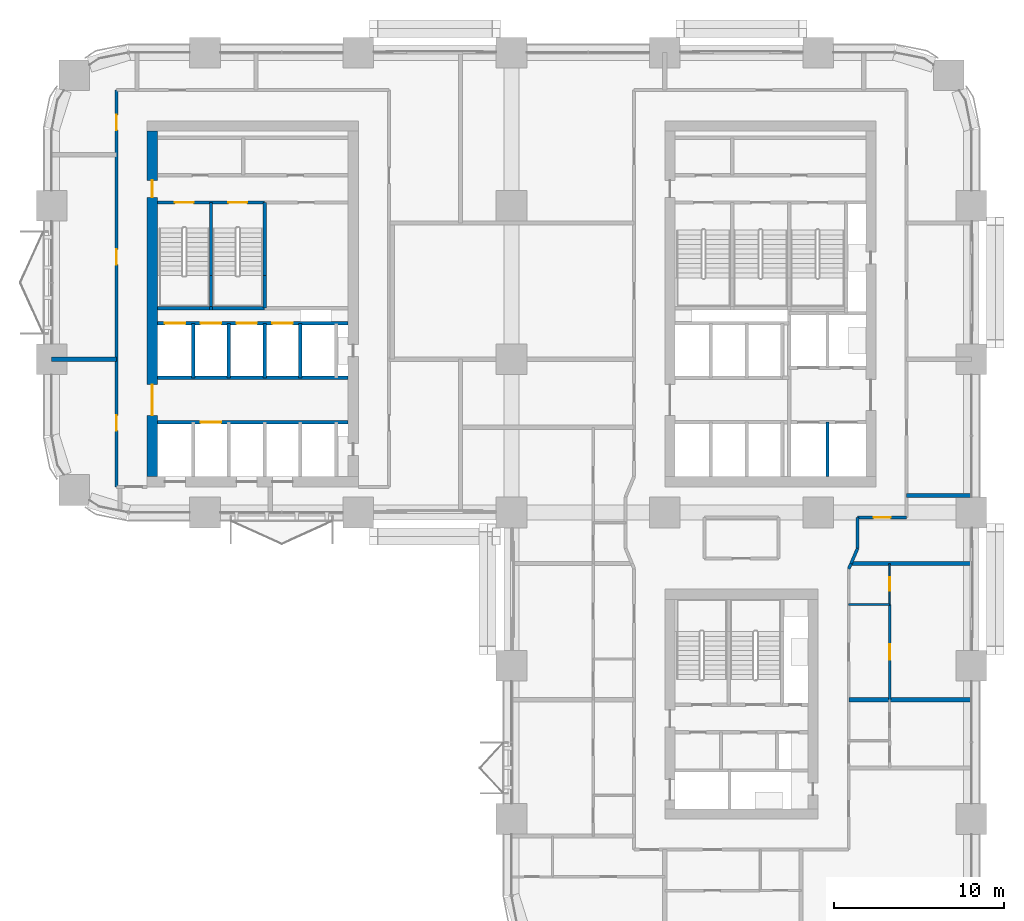
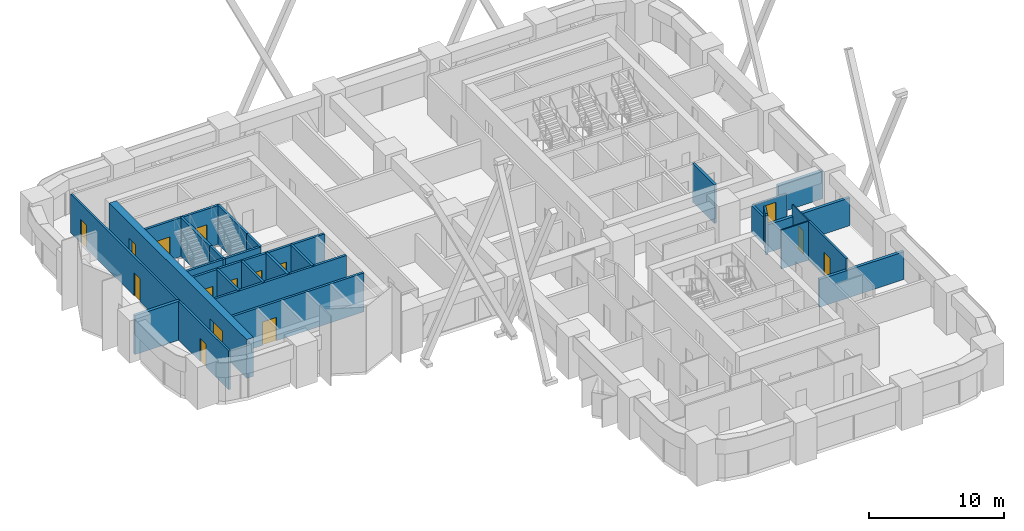
# One storey, part 14 of 19: 29 walls, 15 doors, 15 openings.
"""IFC4 building model written with IfcOpenShell, lengths in metres."""

from ifc_helpers import new_model, si_unit, direction, frame, frame_2d, origin, place, context, subcontext, project, spatial, rectangle, extrude, material, layer, layer_set, type_object, element, fill, save


model = new_model("IFC4")

# Units and contexts
model_context = context("Model", 3, precision=1e-05, world=origin(), true_north=direction((0.0, 1.0)))
body_context = subcontext(model_context, "Body", "Model", "MODEL_VIEW")
ifc_project = project(units=[si_unit("LENGTHUNIT", "METRE"), si_unit("AREAUNIT", "SQUARE_METRE"), si_unit("VOLUMEUNIT", "CUBIC_METRE"), si_unit("PLANEANGLEUNIT", "RADIAN"), si_unit("MASSUNIT", "GRAM", prefix="KILO")], contexts=[model_context])

# Site, building, storey
site_placement = place(None, origin())
site = spatial("IfcSite", under=ifc_project, at=site_placement, CompositionType="ELEMENT")
building_placement = place(site_placement, origin())
building = spatial("IfcBuilding", under=site, at=building_placement, Name="Tessera Arch", CompositionType="ELEMENT")
storey_placement = place(building_placement, frame((0.0, 0.0, 108.199951171875)))
storey = spatial("IfcBuildingStorey", under=building, at=storey_placement, Name="L25", CompositionType="ELEMENT", Elevation=108.199951171875)

# Wall, openings, doors
ifc_material_1 = material(Name="Concrete C70/85", Category="concrete")
ifc_layer_1 = layer(ifc_material_1, 0.60009765625)
ifc_layer_set_1 = layer_set([ifc_layer_1], Name="Core shell wall 600 C70-85")
wall_type_1 = type_object("IfcWallType", Name="Core shell wall 600 C70-85", PredefinedType="SHEAR", material=ifc_layer_set_1)
wall_1_placement = place(storey_placement, frame((5.89990234375, 29.10009765625, 0.0), z_axis=(0.0, 0.0, 1.0), x_axis=(0.0, 1.0, 0.0)))
wall_1 = element("IfcWall", 1, at=wall_1_placement, inside=storey, type_object=wall_type_1, Name="L25 C2 core wall W", PredefinedType="SHEAR", context=body_context, shape_type="SweptSolid", body=[
    extrude(rectangle(XDim=20.2998046875, YDim=0.60009765625, at=frame_2d((10.14990234375, 0.0))), origin(), (0.0, 0.0, 1.0), 3.5),
])
opening_1_placement = place(wall_1_placement, frame((3.60009765625, 0.0, 0.0)))
opening_1 = element("IfcOpeningElement", 2, at=opening_1_placement, cuts=wall_1, Name="Opening L25-C24", PredefinedType="OPENING", context=body_context, shape_type="SweptSolid", body=[
    extrude(rectangle(XDim=1.800048828125, YDim=2.10009765625, at=frame_2d((0.89990234375, 1.050048828125))), frame((0.0, 0.31005859375, 0.0), z_axis=(0.0, -1.0, 0.0), x_axis=(1.0, 0.0, 0.0)), (0.0, 0.0, 1.0), 0.6201171875),
])
opening_2_placement = place(wall_1_placement, frame((16.39990234375, 0.0, 0.0)))
opening_2 = element("IfcOpeningElement", 3, at=opening_2_placement, cuts=wall_1, Name="Opening L25-C27", PredefinedType="OPENING", context=body_context, shape_type="SweptSolid", body=[
    extrude(rectangle(XDim=1.0, YDim=2.10009765625, at=frame_2d((0.5, 1.050048828125))), frame((0.0, 0.31005859375, 0.0), z_axis=(0.0, -1.0, 0.0), x_axis=(1.0, 0.0, 0.0)), (0.0, 0.0, 1.0), 0.6201171875),
])
ifc_material_2 = material(Name="Steel door leaf", Category="steel")
door_type_1 = type_object("IfcDoorType", Name="Corridor door FD60 1000 x 2100", OperationType="SINGLE_SWING_LEFT", PredefinedType="DOOR", material=ifc_material_2)
door_1_placement = place(opening_2_placement, origin())
door_1 = element("IfcDoor", 4, at=door_1_placement, inside=storey, type_object=door_type_1, Name="L25 C2 door 14 C27 type D12", OperationType="SINGLE_SWING_RIGHT", OverallHeight=2.10009765625, OverallWidth=1.0, PredefinedType="DOOR", context=body_context, shape_type="SweptSolid", body=[
    extrude(rectangle(XDim=1.0, YDim=2.10009765625, at=frame_2d((0.5, 1.050048828125))), frame((0.0, 0.02490234375, 0.0), z_axis=(0.0, -1.0, 0.0), x_axis=(1.0, 0.0, 0.0)), (0.0, 0.0, 1.0), 0.050048828125),
])
fill(opening_2, door_1)
ifc_material_3 = material(Name="Glazed steel door leaf", Category="steel")
door_type_2 = type_object("IfcDoorType", Name="Lobby double door FD30S 1800 x 2100", OperationType="DOUBLE_DOOR_SINGLE_SWING", PredefinedType="DOOR", material=ifc_material_3)
door_2_placement = place(opening_1_placement, origin())
door_2 = element("IfcDoor", 5, at=door_2_placement, inside=storey, type_object=door_type_2, Name="L25 C2 door 11 C24 type D06", OperationType="DOUBLE_DOOR_SINGLE_SWING", OverallHeight=2.10009765625, OverallWidth=1.800048828125, PredefinedType="DOOR", context=body_context, shape_type="SweptSolid", body=[
    extrude(rectangle(XDim=1.800048828125, YDim=2.10009765625, at=frame_2d((0.89990234375, 1.050048828125))), frame((0.0, 0.02490234375, 0.0), z_axis=(0.0, -1.0, 0.0), x_axis=(1.0, 0.0, 0.0)), (0.0, 0.0, 1.0), 0.050048828125),
])
fill(opening_1, door_2)

# Wall, opening, door
ifc_material_4 = material(Name="Gypsum board on deep steel stud with mineral wool", Category="steel")
ifc_layer_2 = layer(ifc_material_4, 0.175048828125)
ifc_layer_set_2 = layer_set([ifc_layer_2], Name="Corridor wall 175 EI 60")
wall_type_2 = type_object("IfcWallType", Name="Corridor wall 175 EI 60", PredefinedType="PARTITIONING", material=ifc_layer_set_2)
wall_2_placement = place(storey_placement, frame((47.320068359375, 26.699951171875, 0.0), z_axis=(0.0, 0.0, 1.0), x_axis=(1.0, 0.0, 0.0)))
wall_2 = element("IfcWall", 6, at=wall_2_placement, inside=storey, type_object=wall_type_2, Name="L25 partition 4", PredefinedType="PARTITIONING", context=body_context, shape_type="SweptSolid", body=[
    extrude(rectangle(XDim=2.8798828125, YDim=0.175048828125, at=frame_2d((1.43994140625, 0.0))), origin(), (0.0, 0.0, 1.0), 2.5),
])
opening_3_placement = place(wall_2_placement, frame((0.93994140625, 0.0, 0.0)))
opening_3 = element("IfcOpeningElement", 7, at=opening_3_placement, cuts=wall_2, Name="Opening L25-D021", PredefinedType="OPENING", context=body_context, shape_type="SweptSolid", body=[
    extrude(rectangle(XDim=1.0, YDim=2.10009765625, at=frame_2d((0.5, 1.050048828125))), frame((0.0, 0.097412109375, 0.0), z_axis=(0.0, -1.0, 0.0), x_axis=(1.0, 0.0, 0.0)), (0.0, 0.0, 1.0), 0.195068359375),
])
ifc_material_5 = material(Name="Fire-rated door leaf")
door_type_3 = type_object("IfcDoorType", Name="Entrance door FD30S 1000 x 2100", OperationType="SINGLE_SWING_LEFT", PredefinedType="DOOR", material=ifc_material_5)
door_3_placement = place(opening_3_placement, origin())
door_3 = element("IfcDoor", 8, at=door_3_placement, inside=storey, type_object=door_type_3, Name="L25 door D021 type D03", OperationType="SINGLE_SWING_RIGHT", OverallHeight=2.10009765625, OverallWidth=1.0, PredefinedType="DOOR", context=body_context, shape_type="SweptSolid", body=[
    extrude(rectangle(XDim=1.0, YDim=2.10009765625, at=frame_2d((0.5, 1.050048828125))), frame((0.0, 0.02490234375, 0.0), z_axis=(0.0, -1.0, 0.0), x_axis=(1.0, 0.0, 0.0)), (0.0, 0.0, 1.0), 0.050048828125),
])
fill(opening_3, door_3)

# Wall, openings, doors
wall_3_placement = place(storey_placement, frame((3.800048828125, 28.5, 0.0), z_axis=(0.0, 0.0, 1.0), x_axis=(0.0, 1.0, 0.0)))
wall_3 = element("IfcWall", 9, at=wall_3_placement, inside=storey, type_object=wall_type_2, Name="L25 partition 9", PredefinedType="PARTITIONING", context=body_context, shape_type="SweptSolid", body=[
    extrude(rectangle(XDim=23.300048828125, YDim=0.175048828125, at=frame_2d((11.64990234375, 0.0))), origin(), (0.0, 0.0, 1.0), 3.5),
])
opening_4_placement = place(wall_3_placement, frame((3.300048828125, 0.0, 0.0)))
opening_4 = element("IfcOpeningElement", 10, at=opening_4_placement, cuts=wall_3, Name="Opening L25-D027", PredefinedType="OPENING", context=body_context, shape_type="SweptSolid", body=[
    extrude(rectangle(XDim=0.89990234375, YDim=2.10009765625, at=frame_2d((0.449951171875, 1.050048828125))), frame((0.0, 0.097412109375, 0.0), z_axis=(0.0, -1.0, 0.0), x_axis=(1.0, 0.0, 0.0)), (0.0, 0.0, 1.0), 0.195068359375),
])
opening_5_placement = place(wall_3_placement, frame((13.050048828125, 0.0, 0.0)))
opening_5 = element("IfcOpeningElement", 11, at=opening_5_placement, cuts=wall_3, Name="Opening L25-D032", PredefinedType="OPENING", context=body_context, shape_type="SweptSolid", body=[
    extrude(rectangle(XDim=0.89990234375, YDim=2.10009765625, at=frame_2d((0.449951171875, 1.050048828125))), frame((0.0, 0.097412109375, 0.0), z_axis=(0.0, -1.0, 0.0), x_axis=(1.0, 0.0, 0.0)), (0.0, 0.0, 1.0), 0.195068359375),
])
opening_6_placement = place(wall_3_placement, frame((20.949951171875, 0.0, 0.0)))
opening_6 = element("IfcOpeningElement", 12, at=opening_6_placement, cuts=wall_3, Name="Opening L25-D036", PredefinedType="OPENING", context=body_context, shape_type="SweptSolid", body=[
    extrude(rectangle(XDim=0.89990234375, YDim=2.10009765625, at=frame_2d((0.449951171875, 1.050048828125))), frame((0.0, 0.097412109375, 0.0), z_axis=(0.0, -1.0, 0.0), x_axis=(1.0, 0.0, 0.0)), (0.0, 0.0, 1.0), 0.195068359375),
])
ifc_material_6 = material(Name="Timber door leaf", Category="wood")
door_type_4 = type_object("IfcDoorType", Name="Room door 900 x 2100", OperationType="SINGLE_SWING_LEFT", PredefinedType="DOOR", material=ifc_material_6)
door_4_placement = place(opening_4_placement, origin())
door_4 = element("IfcDoor", 13, at=door_4_placement, inside=storey, type_object=door_type_4, Name="L25 door D027 type D01", OperationType="SINGLE_SWING_LEFT", OverallHeight=2.10009765625, OverallWidth=0.89990234375, PredefinedType="DOOR", context=body_context, shape_type="SweptSolid", body=[
    extrude(rectangle(XDim=0.89990234375, YDim=2.10009765625, at=frame_2d((0.449951171875, 1.050048828125))), frame((0.0, 0.02490234375, 0.0), z_axis=(0.0, -1.0, 0.0), x_axis=(1.0, 0.0, 0.0)), (0.0, 0.0, 1.0), 0.050048828125),
])
fill(opening_4, door_4)
door_5_placement = place(opening_5_placement, origin())
door_5 = element("IfcDoor", 14, at=door_5_placement, inside=storey, type_object=door_type_4, Name="L25 door D032 type D01", OperationType="SINGLE_SWING_RIGHT", OverallHeight=2.10009765625, OverallWidth=0.89990234375, PredefinedType="DOOR", context=body_context, shape_type="SweptSolid", body=[
    extrude(rectangle(XDim=0.89990234375, YDim=2.10009765625, at=frame_2d((0.449951171875, 1.050048828125))), frame((0.0, 0.02490234375, 0.0), z_axis=(0.0, -1.0, 0.0), x_axis=(1.0, 0.0, 0.0)), (0.0, 0.0, 1.0), 0.050048828125),
])
fill(opening_5, door_5)
door_6_placement = place(opening_6_placement, origin())
door_6 = element("IfcDoor", 15, at=door_6_placement, inside=storey, type_object=door_type_4, Name="L25 door D036 type D01", OperationType="SINGLE_SWING_RIGHT", OverallHeight=2.10009765625, OverallWidth=0.89990234375, PredefinedType="DOOR", context=body_context, shape_type="SweptSolid", body=[
    extrude(rectangle(XDim=0.89990234375, YDim=2.10009765625, at=frame_2d((0.449951171875, 1.050048828125))), frame((0.0, 0.02490234375, 0.0), z_axis=(0.0, -1.0, 0.0), x_axis=(1.0, 0.0, 0.0)), (0.0, 0.0, 1.0), 0.050048828125),
])
fill(opening_6, door_6)

# Walls
wall_4_placement = place(storey_placement, frame((47.320068359375, 24.889892578125, 0.0), z_axis=(0.0, 0.0, 1.0), x_axis=(0.0, 1.0, 0.0)))
element("IfcWall", 16, at=wall_4_placement, inside=storey, type_object=wall_type_2, Name="L25 partition 17", PredefinedType="PARTITIONING", context=body_context, shape_type="SweptSolid", body=[
    extrude(rectangle(XDim=1.81005859375, YDim=0.175048828125, at=frame_2d((0.905029296875, 0.0))), origin(), (0.0, 0.0, 1.0), 2.5),
])
wall_5_placement = place(storey_placement, frame((46.934326171875, 24.0, 0.0), z_axis=(0.0, 0.0, 1.0), x_axis=(-0.397404653206, -0.917643471949, 0.0)))
element("IfcWall", 17, at=wall_5_placement, inside=storey, type_object=wall_type_2, Name="L25 partition 66", PredefinedType="PARTITIONING", context=body_context, shape_type="SweptSolid", body=[
    extrude(rectangle(XDim=0.337890625, YDim=0.175048828125, at=frame_2d((0.1689453125, 0.0))), origin(), (0.0, 0.0, 1.0), 3.5),
])
wall_6_placement = place(storey_placement, frame((47.320068359375, 24.889892578125, 0.0), z_axis=(0.0, 0.0, 1.0), x_axis=(-0.397713396445, -0.917509702558, 0.0)))
element("IfcWall", 18, at=wall_6_placement, inside=storey, type_object=wall_type_2, Name="L25 partition 67", PredefinedType="PARTITIONING", context=body_context, shape_type="SweptSolid", body=[
    extrude(rectangle(XDim=0.969970703125, YDim=0.175048828125, at=frame_2d((0.48486328125, 0.0))), origin(), (0.0, 0.0, 1.0), 3.5),
])

# Wall, opening, door
ifc_material_7 = material(Name="Gypsum board on steel stud", Category="steel")
ifc_layer_3 = layer(ifc_material_7, 0.14990234375)
ifc_layer_set_3 = layer_set([ifc_layer_3], Name="Partition 150")
wall_type_3 = type_object("IfcWallType", Name="Partition 150", PredefinedType="PARTITIONING", material=ifc_layer_set_3)
wall_7_placement = place(storey_placement, frame((49.199951171875, 16.0, 0.0), z_axis=(0.0, 0.0, 1.0), x_axis=(0.0, 1.0, 0.0)))
wall_7 = element("IfcWall", 19, at=wall_7_placement, inside=storey, type_object=wall_type_3, Name="L25 partition 25", PredefinedType="PARTITIONING", context=body_context, shape_type="SweptSolid", body=[
    extrude(rectangle(XDim=5.60009765625, YDim=0.14990234375, at=frame_2d((2.800048828125, 0.0))), origin(), (0.0, 0.0, 1.0), 3.5),
])
opening_7_placement = place(wall_7_placement, frame((2.35009765625, 0.0, 0.0)))
opening_7 = element("IfcOpeningElement", 20, at=opening_7_placement, cuts=wall_7, Name="Opening L25-D018", PredefinedType="OPENING", context=body_context, shape_type="SweptSolid", body=[
    extrude(rectangle(XDim=0.89990234375, YDim=2.10009765625, at=frame_2d((0.449951171875, 1.050048828125))), frame((0.0, 0.0849609375, 0.0), z_axis=(0.0, -1.0, 0.0), x_axis=(1.0, 0.0, 0.0)), (0.0, 0.0, 1.0), 0.169921875),
])
door_7_placement = place(opening_7_placement, origin())
door_7 = element("IfcDoor", 21, at=door_7_placement, inside=storey, type_object=door_type_4, Name="L25 door D018 type D01", OperationType="SINGLE_SWING_LEFT", OverallHeight=2.10009765625, OverallWidth=0.89990234375, PredefinedType="DOOR", context=body_context, shape_type="SweptSolid", body=[
    extrude(rectangle(XDim=0.89990234375, YDim=2.10009765625, at=frame_2d((0.449951171875, 1.050048828125))), frame((0.0, 0.02490234375, 0.0), z_axis=(0.0, -1.0, 0.0), x_axis=(1.0, 0.0, 0.0)), (0.0, 0.0, 1.0), 0.050048828125),
])
fill(opening_7, door_7)

# Walls
ifc_material_8 = material(Name="Double gypsum board on twin steel stud with acoustic mineral wool", Category="steel")
ifc_layer_4 = layer(ifc_material_8, 0.25)
ifc_layer_set_4 = layer_set([ifc_layer_4], Name="Party wall 250 EI 60")
wall_type_4 = type_object("IfcWallType", Name="Party wall 250 EI 60", PredefinedType="PARTITIONING", material=ifc_layer_set_4)
wall_8_placement = place(storey_placement, frame((46.800048828125, 16.0, 0.0), z_axis=(0.0, 0.0, 1.0), x_axis=(1.0, 0.0, 0.0)))
element("IfcWall", 22, at=wall_8_placement, inside=storey, type_object=wall_type_4, Name="L25 partition 29", PredefinedType="PARTITIONING", context=body_context, shape_type="SweptSolid", body=[
    extrude(rectangle(XDim=7.199951171875, YDim=0.25, at=frame_2d((3.60009765625, 0.0))), origin(), (0.0, 0.0, 1.0), 2.5),
])
wall_9_placement = place(storey_placement, frame((46.934326171875, 24.0, 0.0), z_axis=(0.0, 0.0, 1.0), x_axis=(1.0, 0.0, 0.0)))
element("IfcWall", 23, at=wall_9_placement, inside=storey, type_object=wall_type_4, Name="L25 partition 31", PredefinedType="PARTITIONING", context=body_context, shape_type="SweptSolid", body=[
    extrude(rectangle(XDim=7.065673828125, YDim=0.25, at=frame_2d((3.53271484375, 0.0))), origin(), (0.0, 0.0, 1.0), 2.5),
])
wall_10_placement = place(storey_placement, frame((50.199951171875, 28.0, 0.0), z_axis=(0.0, 0.0, 1.0), x_axis=(1.0, 0.0, 0.0)))
element("IfcWall", 24, at=wall_10_placement, inside=storey, type_object=wall_type_4, Name="L25 partition 32", PredefinedType="PARTITIONING", context=body_context, shape_type="SweptSolid", body=[
    extrude(rectangle(XDim=3.800048828125, YDim=0.25, at=frame_2d((1.89990234375, 0.0))), origin(), (0.0, 0.0, 1.0), 2.5),
])
wall_11_placement = place(storey_placement, frame((0.0, 36.0, 0.0), z_axis=(0.0, 0.0, 1.0), x_axis=(1.0, 0.0, 0.0)))
element("IfcWall", 25, at=wall_11_placement, inside=storey, type_object=wall_type_4, Name="L25 partition 34", PredefinedType="PARTITIONING", context=body_context, shape_type="SweptSolid", body=[
    extrude(rectangle(XDim=3.800048828125, YDim=0.25, at=frame_2d((1.89990234375, 0.0))), origin(), (0.0, 0.0, 1.0), 3.5),
])
ifc_material_9 = material(Name="Concrete C40/50", Category="concrete")
ifc_layer_5 = layer(ifc_material_9, 0.199951171875)
ifc_layer_set_5 = layer_set([ifc_layer_5], Name="Shaft wall 200 EI 120")
wall_type_5 = type_object("IfcWallType", Name="Shaft wall 200 EI 120", PredefinedType="SOLIDWALL", material=ifc_layer_set_5)
wall_12_placement = place(storey_placement, frame((45.550048828125, 29.10009765625, 0.0), z_axis=(0.0, 0.0, 1.0), x_axis=(0.0, 1.0, 0.0)))
element("IfcWall", 26, at=wall_12_placement, inside=storey, type_object=wall_type_5, Name="L25 C1 shaft wall 13", PredefinedType="SOLIDWALL", context=body_context, shape_type="SweptSolid", body=[
    extrude(rectangle(XDim=3.199951171875, YDim=0.199951171875, at=frame_2d((1.60009765625, 0.0))), origin(), (0.0, 0.0, 1.0), 3.5),
])
for number, where, z_axis, x_axis, name in (
    (27, (8.300048828125, 34.89990234375, 0.0), (0.0, 0.0, 1.0), (0.0, 1.0, 0.0), "L25 C2 shaft wall 2"),
    (28, (10.39990234375, 34.89990234375, 0.0), (0.0, 0.0, 1.0), (0.0, 1.0, 0.0), "L25 C2 shaft wall 6"),
    (29, (12.5, 34.89990234375, 0.0), (0.0, 0.0, 1.0), (0.0, 1.0, 0.0), "L25 C2 shaft wall 9"),
    (30, (14.60009765625, 34.89990234375, 0.0), (0.0, 0.0, 1.0), (0.0, 1.0, 0.0), "L25 C2 shaft wall 13"),
):
    element("IfcWall", number, at=place(storey_placement, frame(where, z_axis=z_axis, x_axis=x_axis)), inside=storey, type_object=wall_type_5, Name=name, PredefinedType="SOLIDWALL", context=body_context, shape_type="SweptSolid", body=[
        extrude(rectangle(XDim=3.2001953125, YDim=0.199951171875, at=frame_2d((1.60009765625, 0.0))), origin(), (0.0, 0.0, 1.0), 3.5),
    ])

# Wall, opening, door
wall_13_placement = place(storey_placement, frame((6.199951171875, 32.300048828125, 0.0), z_axis=(0.0, 0.0, 1.0), x_axis=(1.0, 0.0, 0.0)))
wall_13 = element("IfcWall", 31, at=wall_13_placement, inside=storey, type_object=wall_type_5, Name="L25 C2 shaft wall 16", PredefinedType="SOLIDWALL", context=body_context, shape_type="SweptSolid", body=[
    extrude(rectangle(XDim=11.199951171875, YDim=0.199951171875, at=frame_2d((5.60009765625, 0.0))), origin(), (0.0, 0.0, 1.0), 3.5),
])
opening_8_placement = place(wall_13_placement, frame((2.550048828125, 0.0, 0.0)))
opening_8 = element("IfcOpeningElement", 32, at=opening_8_placement, cuts=wall_13, Name="Opening L25-C15", PredefinedType="OPENING", context=body_context, shape_type="SweptSolid", body=[
    extrude(rectangle(XDim=1.199951171875, YDim=2.10009765625, at=frame_2d((0.60009765625, 1.050048828125))), frame((0.0, 0.10986328125, 0.0), z_axis=(0.0, -1.0, 0.0), x_axis=(1.0, 0.0, 0.0)), (0.0, 0.0, 1.0), 0.219970703125),
])
ifc_material_10 = material(Name="Stainless steel AISI 304", Category="steel")
door_type_5 = type_object("IfcDoorType", Name="Sliding landing door 1200 x 2100", OperationType="SLIDING_TO_LEFT", PredefinedType="DOOR", material=ifc_material_10)
door_8_placement = place(opening_8_placement, origin())
door_8 = element("IfcDoor", 33, at=door_8_placement, inside=storey, type_object=door_type_5, Name="L25 LR2 lift landing door C15 type LD", OperationType="SLIDING_TO_LEFT", OverallHeight=2.10009765625, OverallWidth=1.199951171875, PredefinedType="DOOR", context=body_context, shape_type="SweptSolid", body=[
    extrude(rectangle(XDim=1.199951171875, YDim=2.10009765625, at=frame_2d((0.60009765625, 1.050048828125))), frame((0.0, 0.02490234375, 0.0), z_axis=(0.0, -1.0, 0.0), x_axis=(1.0, 0.0, 0.0)), (0.0, 0.0, 1.0), 0.050048828125),
])
fill(opening_8, door_8)

# Wall
wall_14_placement = place(storey_placement, frame((6.199951171875, 34.89990234375, 0.0), z_axis=(0.0, 0.0, 1.0), x_axis=(1.0, 0.0, 0.0)))
element("IfcWall", 34, at=wall_14_placement, inside=storey, type_object=wall_type_5, Name="L25 C2 shaft wall 17", PredefinedType="SOLIDWALL", context=body_context, shape_type="SweptSolid", body=[
    extrude(rectangle(XDim=11.199951171875, YDim=0.199951171875, at=frame_2d((5.60009765625, 0.0))), origin(), (0.0, 0.0, 1.0), 3.5),
])

# Wall, openings, doors
wall_15_placement = place(storey_placement, frame((6.199951171875, 38.10009765625, 0.0), z_axis=(0.0, 0.0, 1.0), x_axis=(1.0, 0.0, 0.0)))
wall_15 = element("IfcWall", 35, at=wall_15_placement, inside=storey, type_object=wall_type_5, Name="L25 C2 shaft wall 18", PredefinedType="SOLIDWALL", context=body_context, shape_type="SweptSolid", body=[
    extrude(rectangle(XDim=11.199951171875, YDim=0.199951171875, at=frame_2d((5.60009765625, 0.0))), origin(), (0.0, 0.0, 1.0), 3.5),
])
opening_9_placement = place(wall_15_placement, frame((0.449951171875, 0.0, 0.0)))
opening_9 = element("IfcOpeningElement", 36, at=opening_9_placement, cuts=wall_15, Name="Opening L25-C18", PredefinedType="OPENING", context=body_context, shape_type="SweptSolid", body=[
    extrude(rectangle(XDim=1.199951171875, YDim=2.10009765625, at=frame_2d((0.60009765625, 1.050048828125))), frame((0.0, 0.10986328125, 0.0), z_axis=(0.0, -1.0, 0.0), x_axis=(1.0, 0.0, 0.0)), (0.0, 0.0, 1.0), 0.219970703125),
])
opening_10_placement = place(wall_15_placement, frame((2.550048828125, 0.0, 0.0)))
opening_10 = element("IfcOpeningElement", 37, at=opening_10_placement, cuts=wall_15, Name="Opening L25-C19", PredefinedType="OPENING", context=body_context, shape_type="SweptSolid", body=[
    extrude(rectangle(XDim=1.199951171875, YDim=2.10009765625, at=frame_2d((0.60009765625, 1.050048828125))), frame((0.0, 0.10986328125, 0.0), z_axis=(0.0, -1.0, 0.0), x_axis=(1.0, 0.0, 0.0)), (0.0, 0.0, 1.0), 0.219970703125),
])
opening_11_placement = place(wall_15_placement, frame((4.64990234375, 0.0, 0.0)))
opening_11 = element("IfcOpeningElement", 38, at=opening_11_placement, cuts=wall_15, Name="Opening L25-C20", PredefinedType="OPENING", context=body_context, shape_type="SweptSolid", body=[
    extrude(rectangle(XDim=1.199951171875, YDim=2.10009765625, at=frame_2d((0.60009765625, 1.050048828125))), frame((0.0, 0.10986328125, 0.0), z_axis=(0.0, -1.0, 0.0), x_axis=(1.0, 0.0, 0.0)), (0.0, 0.0, 1.0), 0.219970703125),
])
opening_12_placement = place(wall_15_placement, frame((6.75, 0.0, 0.0)))
opening_12 = element("IfcOpeningElement", 39, at=opening_12_placement, cuts=wall_15, Name="Opening L25-C21", PredefinedType="OPENING", context=body_context, shape_type="SweptSolid", body=[
    extrude(rectangle(XDim=1.199951171875, YDim=2.10009765625, at=frame_2d((0.60009765625, 1.050048828125))), frame((0.0, 0.10986328125, 0.0), z_axis=(0.0, -1.0, 0.0), x_axis=(1.0, 0.0, 0.0)), (0.0, 0.0, 1.0), 0.219970703125),
])
door_9_placement = place(opening_9_placement, origin())
door_9 = element("IfcDoor", 40, at=door_9_placement, inside=storey, type_object=door_type_5, Name="L25 LR5 lift landing door C18 type LD", OperationType="SLIDING_TO_LEFT", OverallHeight=2.10009765625, OverallWidth=1.199951171875, PredefinedType="DOOR", context=body_context, shape_type="SweptSolid", body=[
    extrude(rectangle(XDim=1.199951171875, YDim=2.10009765625, at=frame_2d((0.60009765625, 1.050048828125))), frame((0.0, 0.02490234375, 0.0), z_axis=(0.0, -1.0, 0.0), x_axis=(1.0, 0.0, 0.0)), (0.0, 0.0, 1.0), 0.050048828125),
])
fill(opening_9, door_9)
door_10_placement = place(opening_10_placement, origin())
door_10 = element("IfcDoor", 41, at=door_10_placement, inside=storey, type_object=door_type_5, Name="L25 LR6 lift landing door C19 type LD", OperationType="SLIDING_TO_LEFT", OverallHeight=2.10009765625, OverallWidth=1.199951171875, PredefinedType="DOOR", context=body_context, shape_type="SweptSolid", body=[
    extrude(rectangle(XDim=1.199951171875, YDim=2.10009765625, at=frame_2d((0.60009765625, 1.050048828125))), frame((0.0, 0.02490234375, 0.0), z_axis=(0.0, -1.0, 0.0), x_axis=(1.0, 0.0, 0.0)), (0.0, 0.0, 1.0), 0.050048828125),
])
fill(opening_10, door_10)
door_11_placement = place(opening_11_placement, origin())
door_11 = element("IfcDoor", 42, at=door_11_placement, inside=storey, type_object=door_type_5, Name="L25 LR7 lift landing door C20 type LD", OperationType="SLIDING_TO_LEFT", OverallHeight=2.10009765625, OverallWidth=1.199951171875, PredefinedType="DOOR", context=body_context, shape_type="SweptSolid", body=[
    extrude(rectangle(XDim=1.199951171875, YDim=2.10009765625, at=frame_2d((0.60009765625, 1.050048828125))), frame((0.0, 0.02490234375, 0.0), z_axis=(0.0, -1.0, 0.0), x_axis=(1.0, 0.0, 0.0)), (0.0, 0.0, 1.0), 0.050048828125),
])
fill(opening_11, door_11)
door_12_placement = place(opening_12_placement, origin())
door_12 = element("IfcDoor", 43, at=door_12_placement, inside=storey, type_object=door_type_5, Name="L25 LR8 lift landing door C21 type LD", OperationType="SLIDING_TO_LEFT", OverallHeight=2.10009765625, OverallWidth=1.199951171875, PredefinedType="DOOR", context=body_context, shape_type="SweptSolid", body=[
    extrude(rectangle(XDim=1.199951171875, YDim=2.10009765625, at=frame_2d((0.60009765625, 1.050048828125))), frame((0.0, 0.02490234375, 0.0), z_axis=(0.0, -1.0, 0.0), x_axis=(1.0, 0.0, 0.0)), (0.0, 0.0, 1.0), 0.050048828125),
])
fill(opening_12, door_12)

# Walls
ifc_material_11 = material(Name="Concrete C40/50", Category="concrete")
ifc_layer_6 = layer(ifc_material_11, 0.199951171875)
ifc_layer_set_6 = layer_set([ifc_layer_6], Name="Stair well wall 200 REI 180")
wall_type_6 = type_object("IfcWallType", Name="Stair well wall 200 REI 180", PredefinedType="SOLIDWALL", material=ifc_layer_set_6)
wall_16_placement = place(storey_placement, frame((9.35009765625, 39.0, 0.0), z_axis=(0.0, 0.0, 1.0), x_axis=(0.0, 1.0, 0.0)))
element("IfcWall", 44, at=wall_16_placement, inside=storey, type_object=wall_type_6, Name="L25 C2 shaft wall 3", PredefinedType="SOLIDWALL", context=body_context, shape_type="SweptSolid", body=[
    extrude(rectangle(XDim=1.89990234375, YDim=0.199951171875, at=frame_2d((0.949951171875, 0.0))), origin(), (0.0, 0.0, 1.0), 3.5),
])
wall_17_placement = place(storey_placement, frame((9.35009765625, 40.89990234375, 0.0), z_axis=(0.0, 0.0, 1.0), x_axis=(0.0, 1.0, 0.0)))
element("IfcWall", 45, at=wall_17_placement, inside=storey, type_object=wall_type_6, Name="L25 C2 shaft wall 4", PredefinedType="SOLIDWALL", context=body_context, shape_type="SweptSolid", body=[
    extrude(rectangle(XDim=4.300048828125, YDim=0.199951171875, at=frame_2d((2.14990234375, 0.0))), origin(), (0.0, 0.0, 1.0), 3.5),
])
wall_18_placement = place(storey_placement, frame((12.5, 39.0, 0.0), z_axis=(0.0, 0.0, 1.0), x_axis=(0.0, 1.0, 0.0)))
element("IfcWall", 46, at=wall_18_placement, inside=storey, type_object=wall_type_6, Name="L25 C2 shaft wall 10", PredefinedType="SOLIDWALL", context=body_context, shape_type="SweptSolid", body=[
    extrude(rectangle(XDim=1.89990234375, YDim=0.199951171875, at=frame_2d((0.949951171875, 0.0))), origin(), (0.0, 0.0, 1.0), 3.5),
])
wall_19_placement = place(storey_placement, frame((12.5, 40.89990234375, 0.0), z_axis=(0.0, 0.0, 1.0), x_axis=(0.0, 1.0, 0.0)))
element("IfcWall", 47, at=wall_19_placement, inside=storey, type_object=wall_type_6, Name="L25 C2 shaft wall 11", PredefinedType="SOLIDWALL", context=body_context, shape_type="SweptSolid", body=[
    extrude(rectangle(XDim=4.300048828125, YDim=0.199951171875, at=frame_2d((2.14990234375, 0.0))), origin(), (0.0, 0.0, 1.0), 3.5),
])
wall_20_placement = place(storey_placement, frame((6.199951171875, 39.0, 0.0), z_axis=(0.0, 0.0, 1.0), x_axis=(1.0, 0.0, 0.0)))
element("IfcWall", 48, at=wall_20_placement, inside=storey, type_object=wall_type_6, Name="L25 C2 shaft wall 20", PredefinedType="SOLIDWALL", context=body_context, shape_type="SweptSolid", body=[
    extrude(rectangle(XDim=3.050048828125, YDim=0.199951171875, at=frame_2d((1.52490234375, 0.0))), origin(), (0.0, 0.0, 1.0), 3.5),
])
wall_21_placement = place(storey_placement, frame((9.25, 39.0, 0.0), z_axis=(0.0, 0.0, 1.0), x_axis=(1.0, 0.0, 0.0)))
element("IfcWall", 49, at=wall_21_placement, inside=storey, type_object=wall_type_6, Name="L25 C2 shaft wall 21", PredefinedType="SOLIDWALL", context=body_context, shape_type="SweptSolid", body=[
    extrude(rectangle(XDim=0.199951171875, YDim=0.199951171875, at=frame_2d((0.10009765625, 0.0))), origin(), (0.0, 0.0, 1.0), 3.5),
])
wall_22_placement = place(storey_placement, frame((9.449951171875, 39.0, 0.0), z_axis=(0.0, 0.0, 1.0), x_axis=(1.0, 0.0, 0.0)))
element("IfcWall", 50, at=wall_22_placement, inside=storey, type_object=wall_type_6, Name="L25 C2 shaft wall 22", PredefinedType="SOLIDWALL", context=body_context, shape_type="SweptSolid", body=[
    extrude(rectangle(XDim=3.050048828125, YDim=0.199951171875, at=frame_2d((1.52490234375, 0.0))), origin(), (0.0, 0.0, 1.0), 3.5),
])

# Wall, openings, doors
wall_23_placement = place(storey_placement, frame((6.199951171875, 45.199951171875, 0.0), z_axis=(0.0, 0.0, 1.0), x_axis=(1.0, 0.0, 0.0)))
wall_23 = element("IfcWall", 51, at=wall_23_placement, inside=storey, type_object=wall_type_6, Name="L25 C2 shaft wall 24", PredefinedType="SOLIDWALL", context=body_context, shape_type="SweptSolid", body=[
    extrude(rectangle(XDim=6.300048828125, YDim=0.199951171875, at=frame_2d((3.14990234375, 0.0))), origin(), (0.0, 0.0, 1.0), 3.5),
])
opening_13_placement = place(wall_23_placement, frame((1.02490234375, 0.0, 0.0)))
opening_13 = element("IfcOpeningElement", 52, at=opening_13_placement, cuts=wall_23, Name="Opening L25-C25", PredefinedType="OPENING", context=body_context, shape_type="SweptSolid", body=[
    extrude(rectangle(XDim=1.10009765625, YDim=2.10009765625, at=frame_2d((0.550048828125, 1.050048828125))), frame((0.0, 0.10986328125, 0.0), z_axis=(0.0, -1.0, 0.0), x_axis=(1.0, 0.0, 0.0)), (0.0, 0.0, 1.0), 0.219970703125),
])
opening_14_placement = place(wall_23_placement, frame((4.175048828125, 0.0, 0.0)))
opening_14 = element("IfcOpeningElement", 53, at=opening_14_placement, cuts=wall_23, Name="Opening L25-C26", PredefinedType="OPENING", context=body_context, shape_type="SweptSolid", body=[
    extrude(rectangle(XDim=1.10009765625, YDim=2.10009765625, at=frame_2d((0.550048828125, 1.050048828125))), frame((0.0, 0.10986328125, 0.0), z_axis=(0.0, -1.0, 0.0), x_axis=(1.0, 0.0, 0.0)), (0.0, 0.0, 1.0), 0.219970703125),
])
ifc_material_12 = material(Name="Steel door leaf", Category="steel")
door_type_6 = type_object("IfcDoorType", Name="Stair door FD60 1100 x 2100", OperationType="SINGLE_SWING_LEFT", PredefinedType="DOOR", material=ifc_material_12)
door_13_placement = place(opening_13_placement, origin())
door_13 = element("IfcDoor", 54, at=door_13_placement, inside=storey, type_object=door_type_6, Name="L25 C2 door 12 C25 type D05", OperationType="SINGLE_SWING_LEFT", OverallHeight=2.10009765625, OverallWidth=1.10009765625, PredefinedType="DOOR", context=body_context, shape_type="SweptSolid", body=[
    extrude(rectangle(XDim=1.10009765625, YDim=2.10009765625, at=frame_2d((0.550048828125, 1.050048828125))), frame((0.0, 0.02490234375, 0.0), z_axis=(0.0, -1.0, 0.0), x_axis=(1.0, 0.0, 0.0)), (0.0, 0.0, 1.0), 0.050048828125),
])
fill(opening_13, door_13)
door_14_placement = place(opening_14_placement, origin())
door_14 = element("IfcDoor", 55, at=door_14_placement, inside=storey, type_object=door_type_6, Name="L25 C2 door 13 C26 type D05", OperationType="SINGLE_SWING_RIGHT", OverallHeight=2.10009765625, OverallWidth=1.10009765625, PredefinedType="DOOR", context=body_context, shape_type="SweptSolid", body=[
    extrude(rectangle(XDim=1.10009765625, YDim=2.10009765625, at=frame_2d((0.550048828125, 1.050048828125))), frame((0.0, 0.02490234375, 0.0), z_axis=(0.0, -1.0, 0.0), x_axis=(1.0, 0.0, 0.0)), (0.0, 0.0, 1.0), 0.050048828125),
])
fill(opening_14, door_14)

# Wall
ifc_material_13 = material(Name="Moisture-resistant board on pre-plumbed steel stud", Category="steel")
ifc_layer_7 = layer(ifc_material_13, 0.10009765625)
ifc_layer_set_7 = layer_set([ifc_layer_7], Name="Wet wall 100")
wall_type_7 = type_object("IfcWallType", Name="Wet wall 100", PredefinedType="PARTITIONING", material=ifc_layer_set_7)
wall_24_placement = place(storey_placement, frame((46.800048828125, 21.60009765625, 0.0), z_axis=(0.0, 0.0, 1.0), x_axis=(1.0, 0.0, 0.0)))
element("IfcWall", 56, at=wall_24_placement, inside=storey, type_object=wall_type_7, Name="L25 partition 56", PredefinedType="PARTITIONING", context=body_context, shape_type="SweptSolid", body=[
    extrude(rectangle(XDim=2.39990234375, YDim=0.10009765625, at=frame_2d((1.199951171875, 0.0))), origin(), (0.0, 0.0, 1.0), 3.5),
])

# Wall, opening, door
wall_25_placement = place(storey_placement, frame((49.199951171875, 21.60009765625, 0.0), z_axis=(0.0, 0.0, 1.0), x_axis=(0.0, 1.0, 0.0)))
wall_25 = element("IfcWall", 57, at=wall_25_placement, inside=storey, type_object=wall_type_7, Name="L25 partition 64", PredefinedType="PARTITIONING", context=body_context, shape_type="SweptSolid", body=[
    extrude(rectangle(XDim=2.39990234375, YDim=0.10009765625, at=frame_2d((1.199951171875, 0.0))), origin(), (0.0, 0.0, 1.0), 3.5),
])
opening_15_placement = place(wall_25_placement, frame((0.800048828125, 0.0, 0.0)))
opening_15 = element("IfcOpeningElement", 58, at=opening_15_placement, cuts=wall_25, Name="Opening L25-D019", PredefinedType="OPENING", context=body_context, shape_type="SweptSolid", body=[
    extrude(rectangle(XDim=0.800048828125, YDim=2.10009765625, at=frame_2d((0.39990234375, 1.050048828125))), frame((0.0, 0.06005859375, 0.0), z_axis=(0.0, -1.0, 0.0), x_axis=(1.0, 0.0, 0.0)), (0.0, 0.0, 1.0), 0.1201171875),
])
ifc_material_14 = material(Name="Timber door leaf", Category="wood")
door_type_7 = type_object("IfcDoorType", Name="En-suite door 800 x 2100", OperationType="SINGLE_SWING_LEFT", PredefinedType="DOOR", material=ifc_material_14)
door_15_placement = place(opening_15_placement, origin())
door_15 = element("IfcDoor", 59, at=door_15_placement, inside=storey, type_object=door_type_7, Name="L25 door D019 type D02", OperationType="SINGLE_SWING_RIGHT", OverallHeight=2.10009765625, OverallWidth=0.800048828125, PredefinedType="DOOR", context=body_context, shape_type="SweptSolid", body=[
    extrude(rectangle(XDim=0.800048828125, YDim=2.10009765625, at=frame_2d((0.39990234375, 1.050048828125))), frame((0.0, 0.02490234375, 0.0), z_axis=(0.0, -1.0, 0.0), x_axis=(1.0, 0.0, 0.0)), (0.0, 0.0, 1.0), 0.050048828125),
])
fill(opening_15, door_15)

save(model, "model.ifc")
